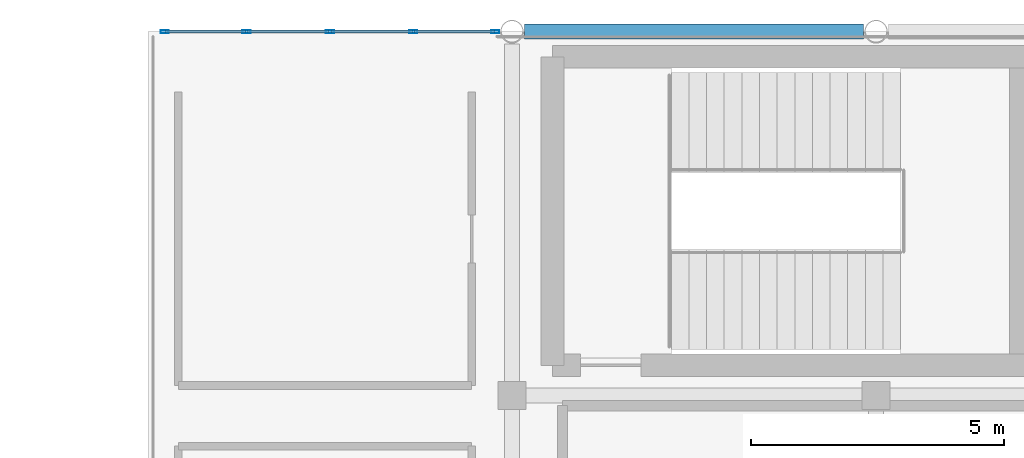
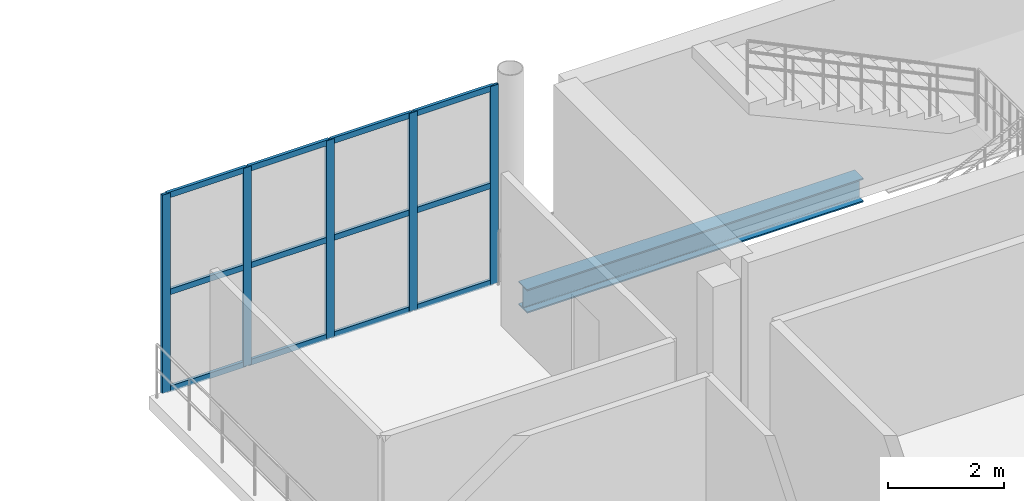
# One storey, part 43 of 81: 17 members, 1 beam, 1 element without a shape of its own.
"""IFC4 building model written with IfcOpenShell, lengths in metres."""

import ifcopenshell
import ifcopenshell.guid

model = None  # the IFC model being written
_history = None  # IfcOwnerHistory: only IFC2X3 demands one
_inside = {}  # id of a spatial element -> (the spatial element, [elements in it])
_under = {}  # id of a project, library or spatial element -> (it, [spatial elements below it])
_declared = {}  # id of a project -> (the project, [libraries it declares])
_typed = {}  # id of a type object -> (the type object, [elements of that type])
_made_of = {}  # id of a material, layer set ... -> (it, [elements and type objects made of it])


def new_model(schema):
    """Start an empty IFC model of exactly this schema.

    Asked for "IFC4X3", IfcOpenShell would pick the latest addendum, in which some entities
    have other attributes; the version numbers below select the first issue.
    IFC2X3 requires an IfcOwnerHistory on every rooted entity: one is made here for all.
    """
    global model, _history
    if schema == "IFC4X3":
        model = ifcopenshell.file(schema_version=(4, 3, 0, 0))
    else:
        model = ifcopenshell.file(schema=schema)
    _inside.clear()
    _under.clear()
    _declared.clear()
    _typed.clear()
    _made_of.clear()
    _history = None
    if model.schema == "IFC2X3":
        org = make("IfcOrganization", Name="unknown")
        user = make(
            "IfcPersonAndOrganization",
            ThePerson=make("IfcPerson", FamilyName="unknown"),
            TheOrganization=org,
        )
        app = make(
            "IfcApplication",
            ApplicationDeveloper=org,
            Version="unknown",
            ApplicationFullName="unknown",
            ApplicationIdentifier="unknown",
        )
        _history = make(
            "IfcOwnerHistory",
            OwningUser=user,
            OwningApplication=app,
            ChangeAction="ADDED",
            CreationDate=0,
        )
    return model


def make(cls, **values):
    """One entity of the class cls with the attributes given. An attribute that is None is left unset."""
    return model.create_entity(
        cls, **{name: value for name, value in values.items() if value is not None}
    )


def rooted(cls, **values):
    """An entity with a GlobalId (a new one), such as an element, a storey or a relation."""
    return make(cls, GlobalId=ifcopenshell.guid.new(), OwnerHistory=_history, **values)


def si_unit(unit_type, name, prefix=None):
    """IfcSIUnit, for example si_unit("LENGTHUNIT", "METRE", prefix="MILLI")."""
    return make("IfcSIUnit", UnitType=unit_type, Prefix=prefix, Name=name)


def assignment(units):
    """IfcUnitAssignment: the units of a project."""
    return None if units is None else make("IfcUnitAssignment", Units=units)


def point(xyz):
    """IfcCartesianPoint."""
    return None if xyz is None else make("IfcCartesianPoint", Coordinates=xyz)


def direction(xyz):
    """IfcDirection."""
    return None if xyz is None else make("IfcDirection", DirectionRatios=xyz)


def frame(location, z_axis=None, x_axis=None):
    """IfcAxis2Placement3D, a coordinate frame: its origin and axes. An axis left out is left unset."""
    return make(
        "IfcAxis2Placement3D",
        Location=point(location),
        Axis=direction(z_axis),
        RefDirection=direction(x_axis),
    )


def frame_2d(location, x_axis=None):
    """IfcAxis2Placement2D, a coordinate frame in the plane: its origin and x axis."""
    return make(
        "IfcAxis2Placement2D", Location=point(location), RefDirection=direction(x_axis)
    )


def origin():
    """The frame at (0, 0, 0) with its axes left unset."""
    return frame((0.0, 0.0, 0.0))


def origin_2d():
    """The frame at (0, 0) in the plane with its x axis left unset."""
    return frame_2d((0.0, 0.0))


def place(relative_to, where):
    """IfcLocalPlacement: puts the frame where relative to a parent placement (None: the world)."""
    return make(
        "IfcLocalPlacement", PlacementRelTo=relative_to, RelativePlacement=where
    )


def context(
    kind, dimensions, precision=None, world=None, true_north=None, identifier=None
):
    """IfcGeometricRepresentationContext, for example the 3D "Model" context."""
    return make(
        "IfcGeometricRepresentationContext",
        ContextIdentifier=identifier,
        ContextType=kind,
        CoordinateSpaceDimension=dimensions,
        Precision=precision,
        WorldCoordinateSystem=world,
        TrueNorth=true_north,
    )


def subcontext(parent, identifier, kind, view, scale=None):
    """IfcGeometricRepresentationSubContext, for example "Body" below "Model"."""
    return make(
        "IfcGeometricRepresentationSubContext",
        ContextIdentifier=identifier,
        ContextType=kind,
        ParentContext=parent,
        TargetScale=scale,
        TargetView=view,
    )


def project(units=None, contexts=None):
    """IfcProject with its units and contexts."""
    return rooted(
        "IfcProject",
        Name="project",
        RepresentationContexts=contexts,
        UnitsInContext=assignment(units),
    )


def spatial(cls, under=None, at=None, **own):
    """A site, building, storey or space (cls), placed at a placement, below another one or the project."""
    s = rooted(cls, ObjectPlacement=at, **own)
    if under is not None:
        _under.setdefault(under.id(), (under, []))[1].append(s)
    return s


def profile(cls, at=None, kind="AREA", **sizes):
    """A parametric profile (cls). Its sizes go by their IFC names, for example OverallWidth=200.0."""
    return make(cls, ProfileType=kind, Position=at, **sizes)


def hollow_rectangle(**sizes):
    """IfcRectangleHollowProfileDef."""
    return profile("IfcRectangleHollowProfileDef", **sizes)


def i_section(**sizes):
    """IfcIShapeProfileDef."""
    return profile("IfcIShapeProfileDef", **sizes)


def extrude(swept, where, along, depth):
    """IfcExtrudedAreaSolid: the profile swept, set in the frame where, extruded along a direction by depth."""
    return make(
        "IfcExtrudedAreaSolid",
        SweptArea=swept,
        Position=where,
        ExtrudedDirection=direction(along),
        Depth=depth,
    )


def shape(context_of_items, identifier, shape_type, items):
    """IfcShapeRepresentation: the items that make up one representation, for example the "Body"."""
    return make(
        "IfcShapeRepresentation",
        ContextOfItems=context_of_items,
        RepresentationIdentifier=identifier,
        RepresentationType=shape_type,
        Items=items,
    )


def material(Name=None, Category=None):
    """IfcMaterial."""
    return make("IfcMaterial", Name=Name, Category=Category)


def material_profile(
    of_material, cross_section, Name=None, Category=None, Priority=None
):
    """IfcMaterialProfile: a cross section and its material."""
    return make(
        "IfcMaterialProfile",
        Name=Name,
        Material=of_material,
        Profile=cross_section,
        Priority=Priority,
        Category=Category,
    )


def profile_set(profiles, Name=None, composite=None):
    """IfcMaterialProfileSet."""
    return make(
        "IfcMaterialProfileSet",
        Name=Name,
        MaterialProfiles=profiles,
        CompositeProfile=composite,
    )


def made_of(thing, what):
    """Note that an element or type object is made of a material, layer set ...; save() writes the relation."""
    if what is not None:
        _made_of.setdefault(what.id(), (what, []))[1].append(thing)
    return thing


def type_object(cls, material=None, **own):
    """A type object (cls), such as IfcWallType, which elements share."""
    return made_of(rooted(cls, **own), material)


def element(
    cls,
    number,
    at=None,
    inside=None,
    cuts=None,
    type_object=None,
    material=None,
    context=None,
    identifier="Body",
    shape_type=None,
    held_by="IfcProductDefinitionShape",
    body=None,
    shapes=None,
    **own,
):
    """One element of the class cls, such as IfcWall. Its Tag is "e" and its number.

    at: its placement. inside: the storey or other place that contains it. cuts: it is an
    opening in that element (IfcRelVoidsElement). A single representation is given by context,
    identifier, shape_type and body (its items); several are given by shapes. held_by: the class
    of the entity that holds the representations. save() writes the other relations.
    """
    e = rooted(cls, Tag="e%d" % number, ObjectPlacement=at, **own)
    if body is not None:
        shapes = [shape(context, identifier, shape_type, body)]
    if shapes is not None:
        e.Representation = make(held_by, Representations=shapes)
    if inside is not None:
        _inside.setdefault(inside.id(), (inside, []))[1].append(e)
    if cuts is not None:
        rooted(
            "IfcRelVoidsElement", RelatingBuildingElement=cuts, RelatedOpeningElement=e
        )
    if type_object is not None:
        _typed.setdefault(type_object.id(), (type_object, []))[1].append(e)
    return made_of(e, material)


def aggregate(whole, parts):
    """IfcRelAggregates: a whole, such as a stair, and the parts it consists of."""
    return rooted("IfcRelAggregates", RelatingObject=whole, RelatedObjects=parts)


def save(model, path):
    """Write the relations noted so far, then the file.

    IfcRelAggregates (storeys below a building ...), IfcRelContainedInSpatialStructure (elements
    in a storey), IfcRelDefinesByType, IfcRelAssociatesMaterial and IfcRelDeclares: one each for
    every whole, place, type object, material and project.
    """
    for whole, parts in _under.values():
        aggregate(whole, parts)
    for where, things in _inside.values():
        rooted(
            "IfcRelContainedInSpatialStructure",
            RelatedElements=things,
            RelatingStructure=where,
        )
    for kind, things in _typed.values():
        rooted("IfcRelDefinesByType", RelatedObjects=things, RelatingType=kind)
    for what, things in _made_of.values():
        rooted("IfcRelAssociatesMaterial", RelatedObjects=things, RelatingMaterial=what)
    for by, libraries in _declared.values():
        rooted("IfcRelDeclares", RelatingContext=by, RelatedDefinitions=libraries)
    model.write(path)


model = new_model("IFC4")

# Units and contexts
model_context = context("Model", 3, precision=1e-05, world=origin(), true_north=direction((0.0, 1.0)))
body_context = subcontext(model_context, "Body", "Model", "MODEL_VIEW")
ifc_project = project(units=[si_unit("LENGTHUNIT", "METRE"), si_unit("AREAUNIT", "SQUARE_METRE"), si_unit("VOLUMEUNIT", "CUBIC_METRE"), si_unit("PLANEANGLEUNIT", "RADIAN"), si_unit("MASSUNIT", "GRAM", prefix="KILO")], contexts=[model_context])

# Site, building, storey
site_placement = place(None, origin())
site = spatial("IfcSite", under=ifc_project, at=site_placement, CompositionType="ELEMENT")
building_placement = place(site_placement, origin())
building = spatial("IfcBuilding", under=site, at=building_placement, Name="Qandorah Velis Arena", CompositionType="ELEMENT")
storey_placement = place(building_placement, frame((0.0, 0.0, 18.60009765625)))
storey = spatial("IfcBuildingStorey", under=building, at=storey_placement, Name="L04", CompositionType="ELEMENT", Elevation=18.60009765625)

# Curtain wall, members
ifc_material_1 = material(Name="Solar-control low-E double glazing", Category="glass")
curtain_wall_type = type_object("IfcCurtainWallType", Name="ARC-CW-SYS19", PredefinedType="USERDEFINED", material=ifc_material_1)
curtain_wall_placement = place(storey_placement, origin())
curtain_wall = element("IfcCurtainWall", 1, at=curtain_wall_placement, inside=storey, type_object=curtain_wall_type, Name="Unitised curtain wall L04-091", ObjectType="UNITISED CURTAIN WALL", PredefinedType="USERDEFINED")
ifc_material_2 = material(Name="Champagne-bronze anodized aluminium 6063-T6", Category="aluminium")
ifc_material_profile_1 = material_profile(ifc_material_2, hollow_rectangle(XDim=0.06005859375, YDim=0.159912109375, WallThickness=0.00341796875, at=origin_2d()), Name="ALU MULLION 60x160")
ifc_profile_set_1 = profile_set([ifc_material_profile_1], Name="Champagne-bronze anodized aluminium 6063-T6")
member_type_1 = type_object("IfcMemberType", Name="ARC-CWM-160", PredefinedType="MULLION", material=ifc_profile_set_1)
member_1_placement = place(storey_placement, frame((21.929931640625, 129.60009765625, -0.01513671875), z_axis=(0.0, 0.0, 1.0), x_axis=(0.0, 1.0, 0.0)))
member_1 = element("IfcMember", 2, at=member_1_placement, type_object=member_type_1, Name="CW19 mullion 1", PredefinedType="MULLION", context=body_context, shape_type="SweptSolid", body=[
    extrude(hollow_rectangle(XDim=0.06005859375, YDim=0.159912109375, WallThickness=0.00341796875, at=origin_2d()), origin(), (0.0, 0.0, 1.0), 4.179931640625),
])
member_2_placement = place(storey_placement, frame((23.550048828125, 129.60009765625, -0.01513671875), z_axis=(0.0, 0.0, 1.0), x_axis=(0.0, 1.0, 0.0)))
member_2 = element("IfcMember", 3, at=member_2_placement, type_object=member_type_1, Name="CW19 mullion 2", PredefinedType="MULLION", context=body_context, shape_type="SweptSolid", body=[
    extrude(hollow_rectangle(XDim=0.06005859375, YDim=0.159912109375, WallThickness=0.00341796875, at=origin_2d()), origin(), (0.0, 0.0, 1.0), 4.179931640625),
])
member_3_placement = place(storey_placement, frame((25.199951171875, 129.60009765625, -0.01513671875), z_axis=(0.0, 0.0, 1.0), x_axis=(0.0, 1.0, 0.0)))
member_3 = element("IfcMember", 4, at=member_3_placement, type_object=member_type_1, Name="CW19 mullion 3", PredefinedType="MULLION", context=body_context, shape_type="SweptSolid", body=[
    extrude(hollow_rectangle(XDim=0.06005859375, YDim=0.159912109375, WallThickness=0.00341796875, at=origin_2d()), origin(), (0.0, 0.0, 1.0), 4.179931640625),
])
member_4_placement = place(storey_placement, frame((26.85009765625, 129.60009765625, -0.01513671875), z_axis=(0.0, 0.0, 1.0), x_axis=(0.0, 1.0, 0.0)))
member_4 = element("IfcMember", 5, at=member_4_placement, type_object=member_type_1, Name="CW19 mullion 4", PredefinedType="MULLION", context=body_context, shape_type="SweptSolid", body=[
    extrude(hollow_rectangle(XDim=0.06005859375, YDim=0.159912109375, WallThickness=0.00341796875, at=origin_2d()), origin(), (0.0, 0.0, 1.0), 4.179931640625),
])
member_5_placement = place(storey_placement, frame((28.469970703125, 129.60009765625, -0.01513671875), z_axis=(0.0, 0.0, 1.0), x_axis=(0.0, 1.0, 0.0)))
member_5 = element("IfcMember", 6, at=member_5_placement, type_object=member_type_1, Name="CW19 mullion 5", PredefinedType="MULLION", context=body_context, shape_type="SweptSolid", body=[
    extrude(hollow_rectangle(XDim=0.06005859375, YDim=0.159912109375, WallThickness=0.00341796875, at=origin_2d()), origin(), (0.0, 0.0, 1.0), 4.179931640625),
])
ifc_material_profile_2 = material_profile(ifc_material_2, hollow_rectangle(XDim=0.06005859375, YDim=0.1201171875, WallThickness=0.0029296875, at=origin_2d()), Name="ALU TRANSOM 60x120")
ifc_profile_set_2 = profile_set([ifc_material_profile_2], Name="Champagne-bronze anodized aluminium 6063-T6")
member_type_2 = type_object("IfcMemberType", Name="ARC-CWT-120", PredefinedType="USERDEFINED", material=ifc_profile_set_2)
member_6_placement = place(storey_placement, frame((21.947998046875, 129.60009765625, 0.02978515625), z_axis=(1.0, 0.0, 0.0), x_axis=(0.0, 1.0, 0.0)))
member_6 = element("IfcMember", 7, at=member_6_placement, type_object=member_type_2, Name="CW19 transom 1.1", ObjectType="TRANSOM", PredefinedType="USERDEFINED", context=body_context, shape_type="SweptSolid", body=[
    extrude(hollow_rectangle(XDim=0.06005859375, YDim=0.1201171875, WallThickness=0.0029296875, at=origin_2d()), origin(), (0.0, 0.0, 1.0), 1.583984375),
])
member_7_placement = place(storey_placement, frame((21.947998046875, 129.60009765625, 2.074951171875), z_axis=(1.0, 0.0, 0.0), x_axis=(0.0, 1.0, 0.0)))
member_7 = element("IfcMember", 8, at=member_7_placement, type_object=member_type_2, Name="CW19 transom 1.2", ObjectType="TRANSOM", PredefinedType="USERDEFINED", context=body_context, shape_type="SweptSolid", body=[
    extrude(hollow_rectangle(XDim=0.06005859375, YDim=0.1201171875, WallThickness=0.0029296875, at=origin_2d()), origin(), (0.0, 0.0, 1.0), 1.583984375),
])
member_8_placement = place(storey_placement, frame((21.947998046875, 129.60009765625, 4.119873046875), z_axis=(1.0, 0.0, 0.0), x_axis=(0.0, 1.0, 0.0)))
member_8 = element("IfcMember", 9, at=member_8_placement, type_object=member_type_2, Name="CW19 transom 1.3", ObjectType="TRANSOM", PredefinedType="USERDEFINED", context=body_context, shape_type="SweptSolid", body=[
    extrude(hollow_rectangle(XDim=0.06005859375, YDim=0.1201171875, WallThickness=0.0029296875, at=origin_2d()), origin(), (0.0, 0.0, 1.0), 1.583984375),
])
member_9_placement = place(storey_placement, frame((23.568115234375, 129.60009765625, 0.02978515625), z_axis=(1.0, 0.0, 0.0), x_axis=(0.0, 1.0, 0.0)))
member_9 = element("IfcMember", 10, at=member_9_placement, type_object=member_type_2, Name="CW19 transom 2.1", ObjectType="TRANSOM", PredefinedType="USERDEFINED", context=body_context, shape_type="SweptSolid", body=[
    extrude(hollow_rectangle(XDim=0.06005859375, YDim=0.1201171875, WallThickness=0.0029296875, at=origin_2d()), origin(), (0.0, 0.0, 1.0), 1.61376953125),
])
member_10_placement = place(storey_placement, frame((23.568115234375, 129.60009765625, 2.074951171875), z_axis=(1.0, 0.0, 0.0), x_axis=(0.0, 1.0, 0.0)))
member_10 = element("IfcMember", 11, at=member_10_placement, type_object=member_type_2, Name="CW19 transom 2.2", ObjectType="TRANSOM", PredefinedType="USERDEFINED", context=body_context, shape_type="SweptSolid", body=[
    extrude(hollow_rectangle(XDim=0.06005859375, YDim=0.1201171875, WallThickness=0.0029296875, at=origin_2d()), origin(), (0.0, 0.0, 1.0), 1.61376953125),
])
member_11_placement = place(storey_placement, frame((23.568115234375, 129.60009765625, 4.119873046875), z_axis=(1.0, 0.0, 0.0), x_axis=(0.0, 1.0, 0.0)))
member_11 = element("IfcMember", 12, at=member_11_placement, type_object=member_type_2, Name="CW19 transom 2.3", ObjectType="TRANSOM", PredefinedType="USERDEFINED", context=body_context, shape_type="SweptSolid", body=[
    extrude(hollow_rectangle(XDim=0.06005859375, YDim=0.1201171875, WallThickness=0.0029296875, at=origin_2d()), origin(), (0.0, 0.0, 1.0), 1.61376953125),
])
member_12_placement = place(storey_placement, frame((25.218017578125, 129.60009765625, 0.02978515625), z_axis=(1.0, 0.0, 0.0), x_axis=(0.0, 1.0, 0.0)))
member_12 = element("IfcMember", 13, at=member_12_placement, type_object=member_type_2, Name="CW19 transom 3.1", ObjectType="TRANSOM", PredefinedType="USERDEFINED", context=body_context, shape_type="SweptSolid", body=[
    extrude(hollow_rectangle(XDim=0.06005859375, YDim=0.1201171875, WallThickness=0.0029296875, at=origin_2d()), origin(), (0.0, 0.0, 1.0), 1.614013671875),
])
member_13_placement = place(storey_placement, frame((25.218017578125, 129.60009765625, 2.074951171875), z_axis=(1.0, 0.0, 0.0), x_axis=(0.0, 1.0, 0.0)))
member_13 = element("IfcMember", 14, at=member_13_placement, type_object=member_type_2, Name="CW19 transom 3.2", ObjectType="TRANSOM", PredefinedType="USERDEFINED", context=body_context, shape_type="SweptSolid", body=[
    extrude(hollow_rectangle(XDim=0.06005859375, YDim=0.1201171875, WallThickness=0.0029296875, at=origin_2d()), origin(), (0.0, 0.0, 1.0), 1.614013671875),
])
member_14_placement = place(storey_placement, frame((25.218017578125, 129.60009765625, 4.119873046875), z_axis=(1.0, 0.0, 0.0), x_axis=(0.0, 1.0, 0.0)))
member_14 = element("IfcMember", 15, at=member_14_placement, type_object=member_type_2, Name="CW19 transom 3.3", ObjectType="TRANSOM", PredefinedType="USERDEFINED", context=body_context, shape_type="SweptSolid", body=[
    extrude(hollow_rectangle(XDim=0.06005859375, YDim=0.1201171875, WallThickness=0.0029296875, at=origin_2d()), origin(), (0.0, 0.0, 1.0), 1.614013671875),
])
member_15_placement = place(storey_placement, frame((26.867919921875, 129.60009765625, 0.02978515625), z_axis=(1.0, 0.0, 0.0), x_axis=(0.0, 1.0, 0.0)))
member_15 = element("IfcMember", 16, at=member_15_placement, type_object=member_type_2, Name="CW19 transom 4.1", ObjectType="TRANSOM", PredefinedType="USERDEFINED", context=body_context, shape_type="SweptSolid", body=[
    extrude(hollow_rectangle(XDim=0.06005859375, YDim=0.1201171875, WallThickness=0.0029296875, at=origin_2d()), origin(), (0.0, 0.0, 1.0), 1.583984375),
])
member_16_placement = place(storey_placement, frame((26.867919921875, 129.60009765625, 2.074951171875), z_axis=(1.0, 0.0, 0.0), x_axis=(0.0, 1.0, 0.0)))
member_16 = element("IfcMember", 17, at=member_16_placement, type_object=member_type_2, Name="CW19 transom 4.2", ObjectType="TRANSOM", PredefinedType="USERDEFINED", context=body_context, shape_type="SweptSolid", body=[
    extrude(hollow_rectangle(XDim=0.06005859375, YDim=0.1201171875, WallThickness=0.0029296875, at=origin_2d()), origin(), (0.0, 0.0, 1.0), 1.583984375),
])
member_17_placement = place(storey_placement, frame((26.867919921875, 129.60009765625, 4.119873046875), z_axis=(1.0, 0.0, 0.0), x_axis=(0.0, 1.0, 0.0)))
member_17 = element("IfcMember", 18, at=member_17_placement, type_object=member_type_2, Name="CW19 transom 4.3", ObjectType="TRANSOM", PredefinedType="USERDEFINED", context=body_context, shape_type="SweptSolid", body=[
    extrude(hollow_rectangle(XDim=0.06005859375, YDim=0.1201171875, WallThickness=0.0029296875, at=origin_2d()), origin(), (0.0, 0.0, 1.0), 1.583984375),
])
aggregate(curtain_wall, [member_1, member_2, member_3, member_4, member_5, member_6, member_7, member_8, member_9, member_10, member_11, member_12, member_13, member_14, member_15, member_16, member_17])

# Beam
ifc_material_3 = material(Name="Steel S355", Category="steel")
ifc_material_profile_3 = material_profile(ifc_material_3, i_section(OverallWidth=0.300048828125, OverallDepth=0.5, WebThickness=0.014404296875, FlangeThickness=0.028076171875, FilletRadius=0.027099609375, at=origin_2d()), Name="HEB 500")
ifc_profile_set_3 = profile_set([ifc_material_profile_3], Name="Steel S355")
beam_type = type_object("IfcBeamType", Name="STR-BM-HEB500", PredefinedType="BEAM", material=ifc_profile_set_3)
beam_placement = place(storey_placement, frame((29.050048828125, 129.60009765625, -0.52001953125), z_axis=(1.0, 0.0, 0.0), x_axis=(0.0, 1.0, 0.0)))
element("IfcBeam", 19, at=beam_placement, inside=storey, type_object=beam_type, Name="Primary floor girder L04 X-134", PredefinedType="BEAM", context=body_context, shape_type="SweptSolid", body=[
    extrude(i_section(OverallWidth=0.300048828125, OverallDepth=0.5, WebThickness=0.014404296875, FlangeThickness=0.028076171875, FilletRadius=0.027099609375, at=origin_2d()), origin(), (0.0, 0.0, 1.0), 6.699951171875),
])

save(model, "model.ifc")
